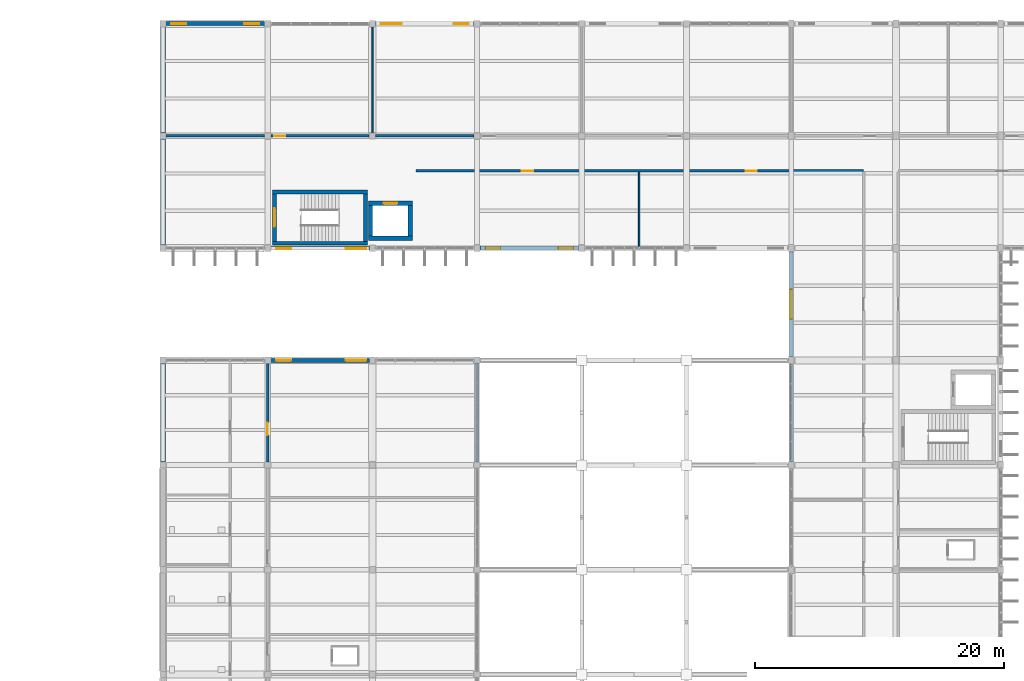
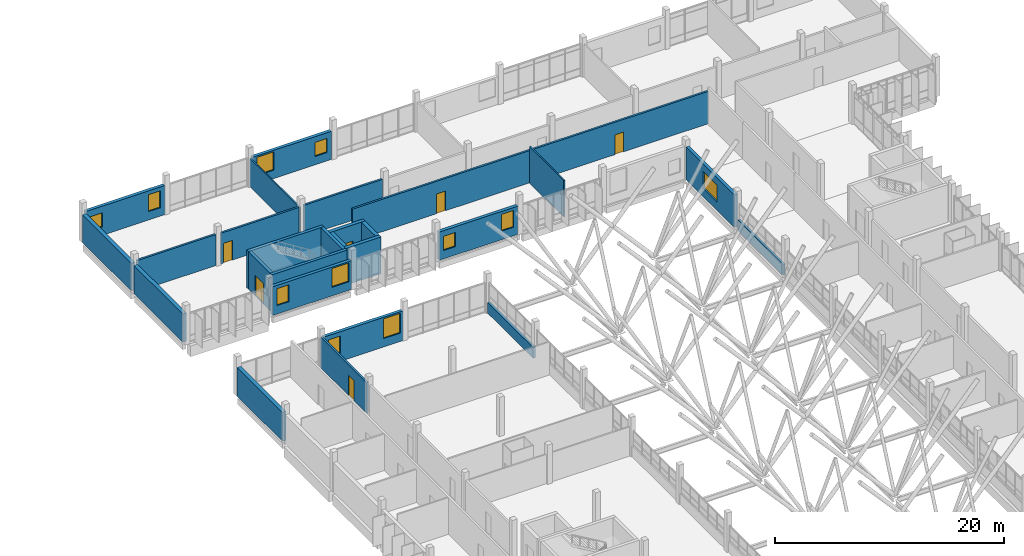
# One storey, part 95 of 107: 26 walls, 11 windows, 6 doors, 17 openings.
"""IFC4 building model written with IfcOpenShell, lengths in metres."""

import ifcopenshell
import ifcopenshell.guid

model = None  # the IFC model being written
_history = None  # IfcOwnerHistory: only IFC2X3 demands one
_inside = {}  # id of a spatial element -> (the spatial element, [elements in it])
_under = {}  # id of a project, library or spatial element -> (it, [spatial elements below it])
_declared = {}  # id of a project -> (the project, [libraries it declares])
_typed = {}  # id of a type object -> (the type object, [elements of that type])
_made_of = {}  # id of a material, layer set ... -> (it, [elements and type objects made of it])


def new_model(schema):
    """Start an empty IFC model of exactly this schema.

    Asked for "IFC4X3", IfcOpenShell would pick the latest addendum, in which some entities
    have other attributes; the version numbers below select the first issue.
    IFC2X3 requires an IfcOwnerHistory on every rooted entity: one is made here for all.
    """
    global model, _history
    if schema == "IFC4X3":
        model = ifcopenshell.file(schema_version=(4, 3, 0, 0))
    else:
        model = ifcopenshell.file(schema=schema)
    _inside.clear()
    _under.clear()
    _declared.clear()
    _typed.clear()
    _made_of.clear()
    _history = None
    if model.schema == "IFC2X3":
        org = make("IfcOrganization", Name="unknown")
        user = make(
            "IfcPersonAndOrganization",
            ThePerson=make("IfcPerson", FamilyName="unknown"),
            TheOrganization=org,
        )
        app = make(
            "IfcApplication",
            ApplicationDeveloper=org,
            Version="unknown",
            ApplicationFullName="unknown",
            ApplicationIdentifier="unknown",
        )
        _history = make(
            "IfcOwnerHistory",
            OwningUser=user,
            OwningApplication=app,
            ChangeAction="ADDED",
            CreationDate=0,
        )
    return model


def make(cls, **values):
    """One entity of the class cls with the attributes given. An attribute that is None is left unset."""
    return model.create_entity(
        cls, **{name: value for name, value in values.items() if value is not None}
    )


def rooted(cls, **values):
    """An entity with a GlobalId (a new one), such as an element, a storey or a relation."""
    return make(cls, GlobalId=ifcopenshell.guid.new(), OwnerHistory=_history, **values)


def si_unit(unit_type, name, prefix=None):
    """IfcSIUnit, for example si_unit("LENGTHUNIT", "METRE", prefix="MILLI")."""
    return make("IfcSIUnit", UnitType=unit_type, Prefix=prefix, Name=name)


def assignment(units):
    """IfcUnitAssignment: the units of a project."""
    return None if units is None else make("IfcUnitAssignment", Units=units)


def point(xyz):
    """IfcCartesianPoint."""
    return None if xyz is None else make("IfcCartesianPoint", Coordinates=xyz)


def direction(xyz):
    """IfcDirection."""
    return None if xyz is None else make("IfcDirection", DirectionRatios=xyz)


def frame(location, z_axis=None, x_axis=None):
    """IfcAxis2Placement3D, a coordinate frame: its origin and axes. An axis left out is left unset."""
    return make(
        "IfcAxis2Placement3D",
        Location=point(location),
        Axis=direction(z_axis),
        RefDirection=direction(x_axis),
    )


def frame_2d(location, x_axis=None):
    """IfcAxis2Placement2D, a coordinate frame in the plane: its origin and x axis."""
    return make(
        "IfcAxis2Placement2D", Location=point(location), RefDirection=direction(x_axis)
    )


def origin():
    """The frame at (0, 0, 0) with its axes left unset."""
    return frame((0.0, 0.0, 0.0))


def place(relative_to, where):
    """IfcLocalPlacement: puts the frame where relative to a parent placement (None: the world)."""
    return make(
        "IfcLocalPlacement", PlacementRelTo=relative_to, RelativePlacement=where
    )


def context(
    kind, dimensions, precision=None, world=None, true_north=None, identifier=None
):
    """IfcGeometricRepresentationContext, for example the 3D "Model" context."""
    return make(
        "IfcGeometricRepresentationContext",
        ContextIdentifier=identifier,
        ContextType=kind,
        CoordinateSpaceDimension=dimensions,
        Precision=precision,
        WorldCoordinateSystem=world,
        TrueNorth=true_north,
    )


def subcontext(parent, identifier, kind, view, scale=None):
    """IfcGeometricRepresentationSubContext, for example "Body" below "Model"."""
    return make(
        "IfcGeometricRepresentationSubContext",
        ContextIdentifier=identifier,
        ContextType=kind,
        ParentContext=parent,
        TargetScale=scale,
        TargetView=view,
    )


def project(units=None, contexts=None):
    """IfcProject with its units and contexts."""
    return rooted(
        "IfcProject",
        Name="project",
        RepresentationContexts=contexts,
        UnitsInContext=assignment(units),
    )


def spatial(cls, under=None, at=None, **own):
    """A site, building, storey or space (cls), placed at a placement, below another one or the project."""
    s = rooted(cls, ObjectPlacement=at, **own)
    if under is not None:
        _under.setdefault(under.id(), (under, []))[1].append(s)
    return s


def profile(cls, at=None, kind="AREA", **sizes):
    """A parametric profile (cls). Its sizes go by their IFC names, for example OverallWidth=200.0."""
    return make(cls, ProfileType=kind, Position=at, **sizes)


def rectangle(**sizes):
    """IfcRectangleProfileDef."""
    return profile("IfcRectangleProfileDef", **sizes)


def extrude(swept, where, along, depth):
    """IfcExtrudedAreaSolid: the profile swept, set in the frame where, extruded along a direction by depth."""
    return make(
        "IfcExtrudedAreaSolid",
        SweptArea=swept,
        Position=where,
        ExtrudedDirection=direction(along),
        Depth=depth,
    )


def shape(context_of_items, identifier, shape_type, items):
    """IfcShapeRepresentation: the items that make up one representation, for example the "Body"."""
    return make(
        "IfcShapeRepresentation",
        ContextOfItems=context_of_items,
        RepresentationIdentifier=identifier,
        RepresentationType=shape_type,
        Items=items,
    )


def material(Name=None, Category=None):
    """IfcMaterial."""
    return make("IfcMaterial", Name=Name, Category=Category)


def layer(
    of_material, thickness, ventilated=None, Name=None, Category=None, Priority=None
):
    """IfcMaterialLayer: one layer of a wall or slab, of a material (None: an air gap)."""
    return make(
        "IfcMaterialLayer",
        Material=of_material,
        LayerThickness=thickness,
        IsVentilated=ventilated,
        Name=Name,
        Category=Category,
        Priority=Priority,
    )


def layer_set(layers, Name=None):
    """IfcMaterialLayerSet."""
    return make("IfcMaterialLayerSet", MaterialLayers=layers, LayerSetName=Name)


def made_of(thing, what):
    """Note that an element or type object is made of a material, layer set ...; save() writes the relation."""
    if what is not None:
        _made_of.setdefault(what.id(), (what, []))[1].append(thing)
    return thing


def type_object(cls, material=None, **own):
    """A type object (cls), such as IfcWallType, which elements share."""
    return made_of(rooted(cls, **own), material)


def element(
    cls,
    number,
    at=None,
    inside=None,
    cuts=None,
    type_object=None,
    material=None,
    context=None,
    identifier="Body",
    shape_type=None,
    held_by="IfcProductDefinitionShape",
    body=None,
    shapes=None,
    **own,
):
    """One element of the class cls, such as IfcWall. Its Tag is "e" and its number.

    at: its placement. inside: the storey or other place that contains it. cuts: it is an
    opening in that element (IfcRelVoidsElement). A single representation is given by context,
    identifier, shape_type and body (its items); several are given by shapes. held_by: the class
    of the entity that holds the representations. save() writes the other relations.
    """
    e = rooted(cls, Tag="e%d" % number, ObjectPlacement=at, **own)
    if body is not None:
        shapes = [shape(context, identifier, shape_type, body)]
    if shapes is not None:
        e.Representation = make(held_by, Representations=shapes)
    if inside is not None:
        _inside.setdefault(inside.id(), (inside, []))[1].append(e)
    if cuts is not None:
        rooted(
            "IfcRelVoidsElement", RelatingBuildingElement=cuts, RelatedOpeningElement=e
        )
    if type_object is not None:
        _typed.setdefault(type_object.id(), (type_object, []))[1].append(e)
    return made_of(e, material)


def fill(opening, filler):
    """IfcRelFillsElement: the door or window that sits in an opening."""
    return rooted(
        "IfcRelFillsElement",
        RelatingOpeningElement=opening,
        RelatedBuildingElement=filler,
    )


def aggregate(whole, parts):
    """IfcRelAggregates: a whole, such as a stair, and the parts it consists of."""
    return rooted("IfcRelAggregates", RelatingObject=whole, RelatedObjects=parts)


def save(model, path):
    """Write the relations noted so far, then the file.

    IfcRelAggregates (storeys below a building ...), IfcRelContainedInSpatialStructure (elements
    in a storey), IfcRelDefinesByType, IfcRelAssociatesMaterial and IfcRelDeclares: one each for
    every whole, place, type object, material and project.
    """
    for whole, parts in _under.values():
        aggregate(whole, parts)
    for where, things in _inside.values():
        rooted(
            "IfcRelContainedInSpatialStructure",
            RelatedElements=things,
            RelatingStructure=where,
        )
    for kind, things in _typed.values():
        rooted("IfcRelDefinesByType", RelatedObjects=things, RelatingType=kind)
    for what, things in _made_of.values():
        rooted("IfcRelAssociatesMaterial", RelatedObjects=things, RelatingMaterial=what)
    for by, libraries in _declared.values():
        rooted("IfcRelDeclares", RelatingContext=by, RelatedDefinitions=libraries)
    model.write(path)


model = new_model("IFC4")

# Units and contexts
model_context = context("Model", 3, precision=1e-05, world=origin(), true_north=direction((0.0, 1.0)))
body_context = subcontext(model_context, "Body", "Model", "MODEL_VIEW")
ifc_project = project(units=[si_unit("LENGTHUNIT", "METRE"), si_unit("AREAUNIT", "SQUARE_METRE"), si_unit("VOLUMEUNIT", "CUBIC_METRE"), si_unit("PLANEANGLEUNIT", "RADIAN"), si_unit("MASSUNIT", "GRAM", prefix="KILO")], contexts=[model_context])

# Site, building, storey
site_placement = place(None, origin())
site = spatial("IfcSite", under=ifc_project, at=site_placement, CompositionType="ELEMENT")
building_placement = place(site_placement, origin())
building = spatial("IfcBuilding", under=site, at=building_placement, Name="Vireocrest Preparatory School", CompositionType="ELEMENT")
storey_placement = place(building_placement, frame((0.0, 0.0, 13.199951171875)))
storey = spatial("IfcBuildingStorey", under=building, at=storey_placement, Name="L03", CompositionType="ELEMENT", Elevation=13.199951171875)

# Wall
ifc_material_1 = material(Name="Gypsum board on cold-formed steel studs", Category="steel")
ifc_layer_1 = layer(ifc_material_1, 0.139892578125)
ifc_layer_set_1 = layer_set([ifc_layer_1], Name="Gypsum board on cold-formed steel studs")
wall_type_1 = type_object("IfcWallType", Name="Classroom Acoustic Partition Wall 140", PredefinedType="PARTITIONING", material=ifc_layer_set_1)
wall_1_placement = place(storey_placement, frame((58.800048828125, 103.905029296875, 0.0), z_axis=(0.0, 0.0, 1.0), x_axis=(0.0, 1.0, 0.0)))
element("IfcWall", 1, at=wall_1_placement, inside=storey, type_object=wall_type_1, Name="Interior Partition W03 IW_L03_0258", PredefinedType="PARTITIONING", context=body_context, shape_type="SweptSolid", body=[
    extrude(rectangle(XDim=8.7900390625, YDim=0.139892578125, at=frame_2d((4.39501953125, 0.0))), origin(), (0.0, 0.0, 1.0), 3.010009765625),
])

# Wall, opening, door
ifc_layer_2 = layer(ifc_material_1, 0.199951171875)
ifc_layer_set_2 = layer_set([ifc_layer_2], Name="Gypsum board on cold-formed steel studs")
wall_type_2 = type_object("IfcWallType", Name="Corridor One-Hour Fire Partition 200", PredefinedType="PARTITIONING", material=ifc_layer_set_2)
wall_2_placement = place(storey_placement, frame((50.39990234375, 77.659912109375, 0.0), z_axis=(0.0, 0.0, 1.0), x_axis=(0.0, 1.0, 0.0)))
wall_2 = element("IfcWall", 2, at=wall_2_placement, inside=storey, type_object=wall_type_2, Name="Interior Partition W06 IW_L03_0256", PredefinedType="PARTITIONING", context=body_context, shape_type="SweptSolid", body=[
    extrude(rectangle(XDim=8.03515625, YDim=0.199951171875, at=frame_2d((4.017578125, 0.0))), origin(), (0.0, 0.0, 1.0), 3.260009765625),
])
opening_1_placement = place(wall_2_placement, frame((2.139892578125, 0.0, 0.0)))
opening_1 = element("IfcOpeningElement", 3, at=opening_1_placement, cuts=wall_2, Name="Opening D-L03-W3EN04", PredefinedType="OPENING", context=body_context, shape_type="SweptSolid", body=[
    extrude(rectangle(XDim=1.0, YDim=2.14990234375, at=frame_2d((0.5, 1.074951171875))), frame((0.0, 0.10986328125, 0.0), z_axis=(0.0, -1.0, 0.0), x_axis=(1.0, 0.0, 0.0)), (0.0, 0.0, 1.0), 0.219970703125),
])
ifc_material_2 = material(Name="Solid-core architectural birch timber", Category="wood")
door_type_1 = type_object("IfcDoorType", Name="Classroom Acoustic Timber Door 1000x2150", OperationType="NOTDEFINED", PredefinedType="DOOR", material=ifc_material_2)
door_1_placement = place(opening_1_placement, origin())
door_1 = element("IfcDoor", 4, at=door_1_placement, inside=storey, type_object=door_type_1, Name="Interior Door D-L03-W3EN04", OperationType="SINGLE_SWING_RIGHT", OverallHeight=2.14990234375, OverallWidth=1.0, PredefinedType="DOOR", context=body_context, shape_type="SweptSolid", body=[
    extrude(rectangle(XDim=1.0, YDim=2.14990234375, at=frame_2d((0.5, 1.074951171875))), frame((0.0, 0.02490234375, 0.0), z_axis=(0.0, -1.0, 0.0), x_axis=(1.0, 0.0, 0.0)), (0.0, 0.0, 1.0), 0.050048828125),
])
fill(opening_1, door_1)

# Wall
wall_3_placement = place(storey_placement, frame((42.195068359375, 103.800048828125, 0.0), z_axis=(0.0, 0.0, 1.0), x_axis=(1.0, 0.0, 0.0)))
element("IfcWall", 5, at=wall_3_placement, inside=storey, type_object=wall_type_2, Name="Interior Partition W06 IW_L03_0262", PredefinedType="PARTITIONING", context=body_context, shape_type="SweptSolid", body=[
    extrude(rectangle(XDim=7.94482421875, YDim=0.199951171875, at=frame_2d((3.972412109375, 0.0))), origin(), (0.0, 0.0, 1.0), 3.31005859375),
])

# Wall, opening, door
wall_4_placement = place(storey_placement, frame((50.659912109375, 103.800048828125, 0.0), z_axis=(0.0, 0.0, 1.0), x_axis=(1.0, 0.0, 0.0)))
wall_4 = element("IfcWall", 6, at=wall_4_placement, inside=storey, type_object=wall_type_2, Name="Interior Partition W06 IW_L03_0263", PredefinedType="PARTITIONING", context=body_context, shape_type="SweptSolid", body=[
    extrude(rectangle(XDim=7.880126953125, YDim=0.199951171875, at=frame_2d((3.93994140625, 0.0))), origin(), (0.0, 0.0, 1.0), 3.260009765625),
])
opening_2_placement = place(wall_4_placement, frame((0.25, 0.0, 0.0)))
opening_2 = element("IfcOpeningElement", 7, at=opening_2_placement, cuts=wall_4, Name="Opening D-L03-N3N01", PredefinedType="OPENING", context=body_context, shape_type="SweptSolid", body=[
    extrude(rectangle(XDim=0.89990234375, YDim=2.10009765625, at=frame_2d((0.449951171875, 1.050048828125))), frame((0.0, 0.10986328125, 0.0), z_axis=(0.0, -1.0, 0.0), x_axis=(1.0, 0.0, 0.0)), (0.0, 0.0, 1.0), 0.219970703125),
])
door_type_2 = type_object("IfcDoorType", Name="Office Timber Door 900x2100", OperationType="NOTDEFINED", PredefinedType="DOOR", material=ifc_material_2)
door_2_placement = place(opening_2_placement, origin())
door_2 = element("IfcDoor", 8, at=door_2_placement, inside=storey, type_object=door_type_2, Name="Interior Door D-L03-N3N01", OperationType="SINGLE_SWING_RIGHT", OverallHeight=2.10009765625, OverallWidth=0.89990234375, PredefinedType="DOOR", context=body_context, shape_type="SweptSolid", body=[
    extrude(rectangle(XDim=0.89990234375, YDim=2.10009765625, at=frame_2d((0.449951171875, 1.050048828125))), frame((0.0, 0.02490234375, 0.0), z_axis=(0.0, -1.0, 0.0), x_axis=(1.0, 0.0, 0.0)), (0.0, 0.0, 1.0), 0.050048828125),
])
fill(opening_2, door_2)

# Wall
wall_5_placement = place(storey_placement, frame((59.06005859375, 103.800048828125, 0.0), z_axis=(0.0, 0.0, 1.0), x_axis=(1.0, 0.0, 0.0)))
element("IfcWall", 9, at=wall_5_placement, inside=storey, type_object=wall_type_2, Name="Interior Partition W06 IW_L03_0264", PredefinedType="PARTITIONING", context=body_context, shape_type="SweptSolid", body=[
    extrude(rectangle(XDim=7.8798828125, YDim=0.199951171875, at=frame_2d((3.93994140625, 0.0))), origin(), (0.0, 0.0, 1.0), 3.31005859375),
])

# Wall, openings, doors
wall_6_placement = place(storey_placement, frame((62.31005859375, 101.0, 0.0), z_axis=(0.0, 0.0, 1.0), x_axis=(1.0, 0.0, 0.0)))
wall_6 = element("IfcWall", 10, at=wall_6_placement, inside=storey, type_object=wall_type_2, Name="Interior Partition W06 IW_L03_0272", PredefinedType="PARTITIONING", context=body_context, shape_type="SweptSolid", body=[
    extrude(rectangle(XDim=35.8798828125, YDim=0.199951171875, at=frame_2d((17.93994140625, 0.0))), origin(), (0.0, 0.0, 1.0), 3.450927734375),
])
opening_3_placement = place(wall_6_placement, frame((8.489990234375, 0.0, 0.0)))
opening_3 = element("IfcOpeningElement", 11, at=opening_3_placement, cuts=wall_6, Name="Opening D-L03-N3SW01", PredefinedType="OPENING", context=body_context, shape_type="SweptSolid", body=[
    extrude(rectangle(XDim=0.89990234375, YDim=2.10009765625, at=frame_2d((0.449951171875, 1.050048828125))), frame((0.0, 0.10986328125, 0.0), z_axis=(0.0, -1.0, 0.0), x_axis=(1.0, 0.0, 0.0)), (0.0, 0.0, 1.0), 0.219970703125),
])
opening_4_placement = place(wall_6_placement, frame((26.43994140625, 0.0, 0.0)))
opening_4 = element("IfcOpeningElement", 12, at=opening_4_placement, cuts=wall_6, Name="Opening D-L03-N3SW02", PredefinedType="OPENING", context=body_context, shape_type="SweptSolid", body=[
    extrude(rectangle(XDim=0.89990234375, YDim=2.10009765625, at=frame_2d((0.449951171875, 1.050048828125))), frame((0.0, 0.10986328125, 0.0), z_axis=(0.0, -1.0, 0.0), x_axis=(1.0, 0.0, 0.0)), (0.0, 0.0, 1.0), 0.219970703125),
])
door_3_placement = place(opening_3_placement, origin())
door_3 = element("IfcDoor", 13, at=door_3_placement, inside=storey, type_object=door_type_2, Name="Interior Door D-L03-N3SW01", OperationType="SINGLE_SWING_LEFT", OverallHeight=2.10009765625, OverallWidth=0.89990234375, PredefinedType="DOOR", context=body_context, shape_type="SweptSolid", body=[
    extrude(rectangle(XDim=0.89990234375, YDim=2.10009765625, at=frame_2d((0.449951171875, 1.050048828125))), frame((0.0, 0.02490234375, 0.0), z_axis=(0.0, -1.0, 0.0), x_axis=(1.0, 0.0, 0.0)), (0.0, 0.0, 1.0), 0.050048828125),
])
fill(opening_3, door_3)
door_4_placement = place(opening_4_placement, origin())
door_4 = element("IfcDoor", 14, at=door_4_placement, inside=storey, type_object=door_type_2, Name="Interior Door D-L03-N3SW02", OperationType="SINGLE_SWING_RIGHT", OverallHeight=2.10009765625, OverallWidth=0.89990234375, PredefinedType="DOOR", context=body_context, shape_type="SweptSolid", body=[
    extrude(rectangle(XDim=0.89990234375, YDim=2.10009765625, at=frame_2d((0.449951171875, 1.050048828125))), frame((0.0, 0.02490234375, 0.0), z_axis=(0.0, -1.0, 0.0), x_axis=(1.0, 0.0, 0.0)), (0.0, 0.0, 1.0), 0.050048828125),
])
fill(opening_4, door_4)

# Wall, openings, windows
ifc_material_3 = material(Name="Precast white concrete 40 MPa", Category="concrete")
ifc_layer_3 = layer(ifc_material_3, 0.320068359375)
ifc_layer_set_3 = layer_set([ifc_layer_3], Name="Precast white concrete 40 MPa")
wall_type_3 = type_object("IfcWallType", Name="High-Tech Insulated Rainscreen External Wall 320", PredefinedType="SOLIDWALL", material=ifc_layer_set_3)
wall_7_placement = place(storey_placement, frame((50.625, 85.800048828125, 0.0), z_axis=(0.0, 0.0, 1.0), x_axis=(1.0, 0.0, 0.0)))
wall_7 = element("IfcWall", 15, at=wall_7_placement, inside=storey, type_object=wall_type_3, Name="External Wall W12 EW_L03_0317", PredefinedType="SOLIDWALL", context=body_context, shape_type="SweptSolid", body=[
    extrude(rectangle(XDim=7.949951171875, YDim=0.320068359375, at=frame_2d((3.97509765625, 0.0))), origin(), (0.0, 0.0, 1.0), 3.16015625),
])
opening_5_placement = place(wall_7_placement, frame((0.449951171875, 0.0, 0.89990234375)))
opening_5 = element("IfcOpeningElement", 16, at=opening_5_placement, cuts=wall_7, Name="Opening WN02", PredefinedType="OPENING", context=body_context, shape_type="SweptSolid", body=[
    extrude(rectangle(XDim=1.199951171875, YDim=1.800048828125, at=frame_2d((0.60009765625, 0.89990234375))), frame((0.0, 0.169921875, 0.0), z_axis=(0.0, -1.0, 0.0), x_axis=(1.0, 0.0, 0.0)), (0.0, 0.0, 1.0), 0.340087890625),
])
opening_6_placement = place(wall_7_placement, frame((6.02001953125, 0.0, 0.89990234375)))
opening_6 = element("IfcOpeningElement", 17, at=opening_6_placement, cuts=wall_7, Name="Opening WN07", PredefinedType="OPENING", context=body_context, shape_type="SweptSolid", body=[
    extrude(rectangle(XDim=1.679931640625, YDim=2.110107421875, at=frame_2d((0.83984375, 1.05517578125))), frame((0.0, 0.169921875, 0.0), z_axis=(0.0, -1.0, 0.0), x_axis=(1.0, 0.0, 0.0)), (0.0, 0.0, 1.0), 0.340087890625),
])
ifc_material_4 = material(Name="Thermally broken aluminium EN AW-6063-T6", Category="aluminium")
window_type_1 = type_object("IfcWindowType", Name="Counseling Window 1200x1800", PartitioningType="SINGLE_PANEL", PredefinedType="WINDOW", material=ifc_material_4)
window_1_placement = place(opening_5_placement, origin())
window_1 = element("IfcWindow", 18, at=window_1_placement, inside=storey, type_object=window_type_1, Name="Window W-L03-154 (WN02)", OverallHeight=1.800048828125, OverallWidth=1.199951171875, PartitioningType="SINGLE_PANEL", PredefinedType="WINDOW", context=body_context, shape_type="SweptSolid", body=[
    extrude(rectangle(XDim=1.199951171875, YDim=1.800048828125, at=frame_2d((0.60009765625, 0.89990234375))), frame((0.0, 0.030029296875, 0.0), z_axis=(0.0, -1.0, 0.0), x_axis=(1.0, 0.0, 0.0)), (0.0, 0.0, 1.0), 0.06005859375),
])
fill(opening_5, window_1)
window_type_2 = type_object("IfcWindowType", Name="Module Lab Window 1680x2400", PartitioningType="SINGLE_PANEL", PredefinedType="WINDOW", material=ifc_material_4)
window_2_placement = place(opening_6_placement, origin())
window_2 = element("IfcWindow", 19, at=window_2_placement, inside=storey, type_object=window_type_2, Name="Window W-L03-155 (WN07)", OverallHeight=2.110107421875, OverallWidth=1.679931640625, PartitioningType="SINGLE_PANEL", PredefinedType="WINDOW", context=body_context, shape_type="SweptSolid", body=[
    extrude(rectangle(XDim=1.679931640625, YDim=2.110107421875, at=frame_2d((0.83984375, 1.05517578125))), frame((0.0, 0.030029296875, 0.0), z_axis=(0.0, -1.0, 0.0), x_axis=(1.0, 0.0, 0.0)), (0.0, 0.0, 1.0), 0.06005859375),
])
fill(opening_6, window_2)

wall_8_placement = place(storey_placement, frame((42.22509765625, 112.800048828125, 0.0), z_axis=(0.0, 0.0, 1.0), x_axis=(1.0, 0.0, 0.0)))
wall_8 = element("IfcWall", 20, at=wall_8_placement, inside=storey, type_object=wall_type_3, Name="External Wall W12 EW_L03_0323", PredefinedType="SOLIDWALL", context=body_context, shape_type="SweptSolid", body=[
    extrude(rectangle(XDim=7.949951171875, YDim=0.320068359375, at=frame_2d((3.97509765625, 0.0))), origin(), (0.0, 0.0, 1.0), 3.110107421875),
])
opening_7_placement = place(wall_8_placement, frame((0.449951171875, 0.0, 0.89990234375)))
opening_7 = element("IfcOpeningElement", 21, at=opening_7_placement, cuts=wall_8, Name="Opening WN01", PredefinedType="OPENING", context=body_context, shape_type="SweptSolid", body=[
    extrude(rectangle(XDim=1.199951171875, YDim=1.5, at=frame_2d((0.60009765625, 0.75))), frame((0.0, 0.169921875, 0.0), z_axis=(0.0, -1.0, 0.0), x_axis=(1.0, 0.0, 0.0)), (0.0, 0.0, 1.0), 0.340087890625),
])
opening_8_placement = place(wall_8_placement, frame((6.300048828125, 0.0, 0.89990234375)))
opening_8 = element("IfcOpeningElement", 22, at=opening_8_placement, cuts=wall_8, Name="Opening WN02", PredefinedType="OPENING", context=body_context, shape_type="SweptSolid", body=[
    extrude(rectangle(XDim=1.199951171875, YDim=1.800048828125, at=frame_2d((0.60009765625, 0.89990234375))), frame((0.0, 0.169921875, 0.0), z_axis=(0.0, -1.0, 0.0), x_axis=(1.0, 0.0, 0.0)), (0.0, 0.0, 1.0), 0.340087890625),
])
window_3_placement = place(opening_8_placement, origin())
window_3 = element("IfcWindow", 23, at=window_3_placement, inside=storey, type_object=window_type_1, Name="Window W-L03-157 (WN02)", OverallHeight=1.800048828125, OverallWidth=1.199951171875, PartitioningType="SINGLE_PANEL", PredefinedType="WINDOW", context=body_context, shape_type="SweptSolid", body=[
    extrude(rectangle(XDim=1.199951171875, YDim=1.800048828125, at=frame_2d((0.60009765625, 0.89990234375))), frame((0.0, 0.030029296875, 0.0), z_axis=(0.0, -1.0, 0.0), x_axis=(1.0, 0.0, 0.0)), (0.0, 0.0, 1.0), 0.06005859375),
])
fill(opening_8, window_3)
window_type_3 = type_object("IfcWindowType", Name="Office Punched Window 1200x1500", PartitioningType="SINGLE_PANEL", PredefinedType="WINDOW", material=ifc_material_4)
window_4_placement = place(opening_7_placement, origin())
window_4 = element("IfcWindow", 24, at=window_4_placement, inside=storey, type_object=window_type_3, Name="Window W-L03-156 (WN01)", OverallHeight=1.5, OverallWidth=1.199951171875, PartitioningType="SINGLE_PANEL", PredefinedType="WINDOW", context=body_context, shape_type="SweptSolid", body=[
    extrude(rectangle(XDim=1.199951171875, YDim=1.5, at=frame_2d((0.60009765625, 0.75))), frame((0.0, 0.030029296875, 0.0), z_axis=(0.0, -1.0, 0.0), x_axis=(1.0, 0.0, 0.0)), (0.0, 0.0, 1.0), 0.06005859375),
])
fill(opening_7, window_4)

wall_9_placement = place(storey_placement, frame((59.02490234375, 112.800048828125, 0.0), z_axis=(0.0, 0.0, 1.0), x_axis=(1.0, 0.0, 0.0)))
wall_9 = element("IfcWall", 25, at=wall_9_placement, inside=storey, type_object=wall_type_3, Name="External Wall W12 EW_L03_0325", PredefinedType="SOLIDWALL", context=body_context, shape_type="SweptSolid", body=[
    extrude(rectangle(XDim=7.9501953125, YDim=0.320068359375, at=frame_2d((3.97509765625, 0.0))), origin(), (0.0, 0.0, 1.0), 3.010009765625),
])
opening_9_placement = place(wall_9_placement, frame((0.449951171875, 0.0, 0.89990234375)))
opening_9 = element("IfcOpeningElement", 26, at=opening_9_placement, cuts=wall_9, Name="Opening WN07", PredefinedType="OPENING", context=body_context, shape_type="SweptSolid", body=[
    extrude(rectangle(XDim=1.679931640625, YDim=1.9599609375, at=frame_2d((0.83984375, 0.97998046875))), frame((0.0, 0.169921875, 0.0), z_axis=(0.0, -1.0, 0.0), x_axis=(1.0, 0.0, 0.0)), (0.0, 0.0, 1.0), 0.340087890625),
])
opening_10_placement = place(wall_9_placement, frame((6.300048828125, 0.0, 0.89990234375)))
opening_10 = element("IfcOpeningElement", 27, at=opening_10_placement, cuts=wall_9, Name="Opening WN01", PredefinedType="OPENING", context=body_context, shape_type="SweptSolid", body=[
    extrude(rectangle(XDim=1.199951171875, YDim=1.5, at=frame_2d((0.60009765625, 0.75))), frame((0.0, 0.169921875, 0.0), z_axis=(0.0, -1.0, 0.0), x_axis=(1.0, 0.0, 0.0)), (0.0, 0.0, 1.0), 0.340087890625),
])
window_5_placement = place(opening_9_placement, origin())
window_5 = element("IfcWindow", 28, at=window_5_placement, inside=storey, type_object=window_type_2, Name="Window W-L03-158 (WN07)", OverallHeight=1.9599609375, OverallWidth=1.679931640625, PartitioningType="SINGLE_PANEL", PredefinedType="WINDOW", context=body_context, shape_type="SweptSolid", body=[
    extrude(rectangle(XDim=1.679931640625, YDim=1.9599609375, at=frame_2d((0.83984375, 0.97998046875))), frame((0.0, 0.030029296875, 0.0), z_axis=(0.0, -1.0, 0.0), x_axis=(1.0, 0.0, 0.0)), (0.0, 0.0, 1.0), 0.06005859375),
])
fill(opening_9, window_5)
window_6_placement = place(opening_10_placement, origin())
window_6 = element("IfcWindow", 29, at=window_6_placement, inside=storey, type_object=window_type_3, Name="Window W-L03-159 (WN01)", OverallHeight=1.5, OverallWidth=1.199951171875, PartitioningType="SINGLE_PANEL", PredefinedType="WINDOW", context=body_context, shape_type="SweptSolid", body=[
    extrude(rectangle(XDim=1.199951171875, YDim=1.5, at=frame_2d((0.60009765625, 0.75))), frame((0.0, 0.030029296875, 0.0), z_axis=(0.0, -1.0, 0.0), x_axis=(1.0, 0.0, 0.0)), (0.0, 0.0, 1.0), 0.06005859375),
])
fill(opening_10, window_6)

wall_10_placement = place(storey_placement, frame((50.625, 94.800048828125, 0.0), z_axis=(0.0, 0.0, 1.0), x_axis=(1.0, 0.0, 0.0)))
wall_10 = element("IfcWall", 30, at=wall_10_placement, inside=storey, type_object=wall_type_3, Name="External Wall W12 EW_L03_0335", PredefinedType="SOLIDWALL", context=body_context, shape_type="SweptSolid", body=[
    extrude(rectangle(XDim=7.949951171875, YDim=0.320068359375, at=frame_2d((3.97509765625, 0.0))), origin(), (0.0, 0.0, 1.0), 3.06005859375),
])
opening_11_placement = place(wall_10_placement, frame((0.449951171875, 0.0, 0.89990234375)))
opening_11 = element("IfcOpeningElement", 31, at=opening_11_placement, cuts=wall_10, Name="Opening WN02", PredefinedType="OPENING", context=body_context, shape_type="SweptSolid", body=[
    extrude(rectangle(XDim=1.199951171875, YDim=1.800048828125, at=frame_2d((0.60009765625, 0.89990234375))), frame((0.0, 0.169921875, 0.0), z_axis=(0.0, -1.0, 0.0), x_axis=(1.0, 0.0, 0.0)), (0.0, 0.0, 1.0), 0.340087890625),
])
opening_12_placement = place(wall_10_placement, frame((6.02001953125, 0.0, 0.89990234375)))
opening_12 = element("IfcOpeningElement", 32, at=opening_12_placement, cuts=wall_10, Name="Opening WN07", PredefinedType="OPENING", context=body_context, shape_type="SweptSolid", body=[
    extrude(rectangle(XDim=1.679931640625, YDim=2.010009765625, at=frame_2d((0.83984375, 1.0048828125))), frame((0.0, 0.169921875, 0.0), z_axis=(0.0, -1.0, 0.0), x_axis=(1.0, 0.0, 0.0)), (0.0, 0.0, 1.0), 0.340087890625),
])
window_7_placement = place(opening_11_placement, origin())
window_7 = element("IfcWindow", 33, at=window_7_placement, inside=storey, type_object=window_type_1, Name="Window W-L03-166 (WN02)", OverallHeight=1.800048828125, OverallWidth=1.199951171875, PartitioningType="SINGLE_PANEL", PredefinedType="WINDOW", context=body_context, shape_type="SweptSolid", body=[
    extrude(rectangle(XDim=1.199951171875, YDim=1.800048828125, at=frame_2d((0.60009765625, 0.89990234375))), frame((0.0, 0.030029296875, 0.0), z_axis=(0.0, -1.0, 0.0), x_axis=(1.0, 0.0, 0.0)), (0.0, 0.0, 1.0), 0.06005859375),
])
fill(opening_11, window_7)
window_8_placement = place(opening_12_placement, origin())
window_8 = element("IfcWindow", 34, at=window_8_placement, inside=storey, type_object=window_type_2, Name="Window W-L03-167 (WN07)", OverallHeight=2.010009765625, OverallWidth=1.679931640625, PartitioningType="SINGLE_PANEL", PredefinedType="WINDOW", context=body_context, shape_type="SweptSolid", body=[
    extrude(rectangle(XDim=1.679931640625, YDim=2.010009765625, at=frame_2d((0.83984375, 1.0048828125))), frame((0.0, 0.030029296875, 0.0), z_axis=(0.0, -1.0, 0.0), x_axis=(1.0, 0.0, 0.0)), (0.0, 0.0, 1.0), 0.06005859375),
])
fill(opening_12, window_8)

wall_11_placement = place(storey_placement, frame((67.425048828125, 94.800048828125, 0.0), z_axis=(0.0, 0.0, 1.0), x_axis=(1.0, 0.0, 0.0)))
wall_11 = element("IfcWall", 35, at=wall_11_placement, inside=storey, type_object=wall_type_3, Name="External Wall W12 EW_L03_0337", PredefinedType="SOLIDWALL", context=body_context, shape_type="SweptSolid", body=[
    extrude(rectangle(XDim=7.949951171875, YDim=0.320068359375, at=frame_2d((3.97509765625, 0.0))), origin(), (0.0, 0.0, 1.0), 3.010009765625),
])
opening_13_placement = place(wall_11_placement, frame((0.449951171875, 0.0, 0.89990234375)))
opening_13 = element("IfcOpeningElement", 36, at=opening_13_placement, cuts=wall_11, Name="Opening WN01", PredefinedType="OPENING", context=body_context, shape_type="SweptSolid", body=[
    extrude(rectangle(XDim=1.199951171875, YDim=1.5, at=frame_2d((0.60009765625, 0.75))), frame((0.0, 0.169921875, 0.0), z_axis=(0.0, -1.0, 0.0), x_axis=(1.0, 0.0, 0.0)), (0.0, 0.0, 1.0), 0.340087890625),
])
opening_14_placement = place(wall_11_placement, frame((6.300048828125, 0.0, 0.89990234375)))
opening_14 = element("IfcOpeningElement", 37, at=opening_14_placement, cuts=wall_11, Name="Opening WN02", PredefinedType="OPENING", context=body_context, shape_type="SweptSolid", body=[
    extrude(rectangle(XDim=1.199951171875, YDim=1.800048828125, at=frame_2d((0.60009765625, 0.89990234375))), frame((0.0, 0.169921875, 0.0), z_axis=(0.0, -1.0, 0.0), x_axis=(1.0, 0.0, 0.0)), (0.0, 0.0, 1.0), 0.340087890625),
])
window_9_placement = place(opening_14_placement, origin())
window_9 = element("IfcWindow", 38, at=window_9_placement, inside=storey, type_object=window_type_1, Name="Window W-L03-169 (WN02)", OverallHeight=1.800048828125, OverallWidth=1.199951171875, PartitioningType="SINGLE_PANEL", PredefinedType="WINDOW", context=body_context, shape_type="SweptSolid", body=[
    extrude(rectangle(XDim=1.199951171875, YDim=1.800048828125, at=frame_2d((0.60009765625, 0.89990234375))), frame((0.0, 0.030029296875, 0.0), z_axis=(0.0, -1.0, 0.0), x_axis=(1.0, 0.0, 0.0)), (0.0, 0.0, 1.0), 0.06005859375),
])
fill(opening_14, window_9)
window_10_placement = place(opening_13_placement, origin())
window_10 = element("IfcWindow", 39, at=window_10_placement, inside=storey, type_object=window_type_3, Name="Window W-L03-168 (WN01)", OverallHeight=1.5, OverallWidth=1.199951171875, PartitioningType="SINGLE_PANEL", PredefinedType="WINDOW", context=body_context, shape_type="SweptSolid", body=[
    extrude(rectangle(XDim=1.199951171875, YDim=1.5, at=frame_2d((0.60009765625, 0.75))), frame((0.0, 0.030029296875, 0.0), z_axis=(0.0, -1.0, 0.0), x_axis=(1.0, 0.0, 0.0)), (0.0, 0.0, 1.0), 0.06005859375),
])
fill(opening_13, window_10)

# Wall, opening, window
wall_12_placement = place(storey_placement, frame((92.39990234375, 86.074951171875, 0.0), z_axis=(0.0, 0.0, 1.0), x_axis=(0.0, 1.0, 0.0)))
wall_12 = element("IfcWall", 40, at=wall_12_placement, inside=storey, type_object=wall_type_3, Name="External Wall W12 EW_L03_0340", PredefinedType="SOLIDWALL", context=body_context, shape_type="SweptSolid", body=[
    extrude(rectangle(XDim=8.449951171875, YDim=0.320068359375, at=frame_2d((4.22509765625, 0.0))), origin(), (0.0, 0.0, 1.0), 3.47998046875),
])
opening_15_placement = place(wall_12_placement, frame((3.02490234375, 0.0, 0.89990234375)))
opening_15 = element("IfcOpeningElement", 41, at=opening_15_placement, cuts=wall_12, Name="Opening WN12", PredefinedType="OPENING", context=body_context, shape_type="SweptSolid", body=[
    extrude(rectangle(XDim=2.39990234375, YDim=1.800048828125, at=frame_2d((1.199951171875, 0.89990234375))), frame((0.0, 0.169921875, 0.0), z_axis=(0.0, -1.0, 0.0), x_axis=(1.0, 0.0, 0.0)), (0.0, 0.0, 1.0), 0.340087890625),
])
window_type_4 = type_object("IfcWindowType", Name="Classroom Paired Window 2400x1800", PartitioningType="DOUBLE_PANEL_VERTICAL", PredefinedType="WINDOW", material=ifc_material_4)
window_11_placement = place(opening_15_placement, origin())
window_11 = element("IfcWindow", 42, at=window_11_placement, inside=storey, type_object=window_type_4, Name="Window W-L03-172 (WN12)", OverallHeight=1.800048828125, OverallWidth=2.39990234375, PartitioningType="SINGLE_PANEL", PredefinedType="WINDOW", context=body_context, shape_type="SweptSolid", body=[
    extrude(rectangle(XDim=2.39990234375, YDim=1.800048828125, at=frame_2d((1.199951171875, 0.89990234375))), frame((0.0, 0.030029296875, 0.0), z_axis=(0.0, -1.0, 0.0), x_axis=(1.0, 0.0, 0.0)), (0.0, 0.0, 1.0), 0.06005859375),
])
fill(opening_15, window_11)

# Walls
ifc_layer_4 = layer(ifc_material_1, 0.1201171875)
ifc_layer_set_4 = layer_set([ifc_layer_4], Name="Gypsum board on cold-formed steel studs")
wall_type_4 = type_object("IfcWallType", Name="Office Stud Partition Wall 120", PredefinedType="PARTITIONING", material=ifc_layer_set_4)
wall_13_placement = place(storey_placement, frame((80.199951171875, 94.905029296875, 0.0), z_axis=(0.0, 0.0, 1.0), x_axis=(0.0, 1.0, 0.0)))
element("IfcWall", 43, at=wall_13_placement, inside=storey, type_object=wall_type_4, Name="Interior Partition W02 IW_L03_0271", PredefinedType="PARTITIONING", context=body_context, shape_type="SweptSolid", body=[
    extrude(rectangle(XDim=5.989990234375, YDim=0.1201171875, at=frame_2d((2.9951171875, 0.0))), origin(), (0.0, 0.0, 1.0), 3.900146484375),
])
ifc_material_5 = material(Name="Concrete 45 MPa", Category="concrete")
ifc_layer_5 = layer(ifc_material_5, 0.35009765625)
ifc_layer_set_5 = layer_set([ifc_layer_5], Name="Concrete 45 MPa")
wall_type_5 = type_object("IfcWallType", Name="Two-Hour RC Lift Core Shear Wall 350", PredefinedType="SHEAR", material=ifc_layer_set_5)
wall_14_placement = place(storey_placement, frame((58.47509765625, 95.60009765625, 0.0), z_axis=(0.0, 0.0, 1.0), x_axis=(1.0, 0.0, 0.0)))
element("IfcWall", 44, at=wall_14_placement, inside=storey, type_object=wall_type_5, Name="Lift Core Shear Wall LF3 L03-S", PredefinedType="SHEAR", context=body_context, shape_type="SweptSolid", body=[
    extrude(rectangle(XDim=3.5498046875, YDim=0.35009765625, at=frame_2d((1.77490234375, 0.0))), origin(), (0.0, 0.0, 1.0), 3.920166015625),
])

# Wall, opening, door
wall_15_placement = place(storey_placement, frame((58.47509765625, 98.39990234375, 0.0), z_axis=(0.0, 0.0, 1.0), x_axis=(1.0, 0.0, 0.0)))
wall_15 = element("IfcWall", 45, at=wall_15_placement, inside=storey, type_object=wall_type_5, Name="Lift Core Shear Wall LF3 L03-N", PredefinedType="SHEAR", context=body_context, shape_type="SweptSolid", body=[
    extrude(rectangle(XDim=3.5498046875, YDim=0.35009765625, at=frame_2d((1.77490234375, 0.0))), origin(), (0.0, 0.0, 1.0), 3.920166015625),
])
opening_16_placement = place(wall_15_placement, frame((1.22509765625, 0.0, 0.0)))
opening_16 = element("IfcOpeningElement", 46, at=opening_16_placement, cuts=wall_15, Name="Opening LD-LF3-L03", PredefinedType="OPENING", context=body_context, shape_type="SweptSolid", body=[
    extrude(rectangle(XDim=1.10009765625, YDim=2.199951171875, at=frame_2d((0.550048828125, 1.10009765625))), frame((0.0, 0.18505859375, 0.0), z_axis=(0.0, -1.0, 0.0), x_axis=(1.0, 0.0, 0.0)), (0.0, 0.0, 1.0), 0.3701171875),
])
ifc_material_6 = material(Name="Painted galvanized hollow steel", Category="steel")
door_type_3 = type_object("IfcDoorType", Name="Lift Landing Sliding Door 1100x2200", OperationType="DOUBLE_DOOR_SLIDING", PredefinedType="DOOR", material=ifc_material_6)
door_5_placement = place(opening_16_placement, origin())
door_5 = element("IfcDoor", 47, at=door_5_placement, inside=storey, type_object=door_type_3, Name="Lift Landing Door LD-LF3-L03", OperationType="DOUBLE_DOOR_SLIDING", OverallHeight=2.199951171875, OverallWidth=1.10009765625, PredefinedType="DOOR", context=body_context, shape_type="SweptSolid", body=[
    extrude(rectangle(XDim=1.10009765625, YDim=2.199951171875, at=frame_2d((0.550048828125, 1.10009765625))), frame((0.0, 0.02490234375, 0.0), z_axis=(0.0, -1.0, 0.0), x_axis=(1.0, 0.0, 0.0)), (0.0, 0.0, 1.0), 0.050048828125),
])
fill(opening_16, door_5)

# Walls
for number, where, z_axis, x_axis, name in (
    (48, (58.64990234375, 95.77490234375, 0.0), (0.0, 0.0, 1.0), (0.0, 1.0, 0.0), "Lift Core Shear Wall LF3 L03-W"),
    (49, (61.85009765625, 95.77490234375, 0.0), (0.0, 0.0, 1.0), (0.0, 1.0, 0.0), "Lift Core Shear Wall LF3 L03-E"),
):
    element("IfcWall", number, at=place(storey_placement, frame(where, z_axis=z_axis, x_axis=x_axis)), inside=storey, type_object=wall_type_5, Name=name, PredefinedType="SHEAR", context=body_context, shape_type="SweptSolid", body=[
        extrude(rectangle(XDim=2.4501953125, YDim=0.35009765625, at=frame_2d((1.22509765625, 0.0))), origin(), (0.0, 0.0, 1.0), 3.920166015625),
    ])
ifc_layer_6 = layer(ifc_material_5, 0.3798828125)
ifc_layer_set_6 = layer_set([ifc_layer_6], Name="Concrete 45 MPa")
wall_type_6 = type_object("IfcWallType", Name="Two-Hour RC Lot-Line Shear Wall 380", PredefinedType="SHEAR", material=ifc_layer_set_6)
wall_16_placement = place(storey_placement, frame((42.0, 77.625, 0.0), z_axis=(0.0, 0.0, 1.0), x_axis=(0.0, 1.0, 0.0)))
element("IfcWall", 50, at=wall_16_placement, inside=storey, type_object=wall_type_6, Name="External Wall PW1 PARTY_L03_0306", PredefinedType="SHEAR", context=body_context, shape_type="SweptSolid", body=[
    extrude(rectangle(XDim=7.949951171875, YDim=0.3798828125, at=frame_2d((3.97509765625, 0.0))), origin(), (0.0, 0.0, 1.0), 3.06005859375),
])
wall_17_placement = place(storey_placement, frame((42.0, 95.02490234375, 0.0), z_axis=(0.0, 0.0, 1.0), x_axis=(0.0, 1.0, 0.0)))
element("IfcWall", 51, at=wall_17_placement, inside=storey, type_object=wall_type_6, Name="External Wall PW1 PARTY_L03_0332", PredefinedType="SHEAR", context=body_context, shape_type="SweptSolid", body=[
    extrude(rectangle(XDim=8.550048828125, YDim=0.3798828125, at=frame_2d((4.27490234375, 0.0))), origin(), (0.0, 0.0, 1.0), 3.010009765625),
])
wall_18_placement = place(storey_placement, frame((42.0, 104.02490234375, 0.0), z_axis=(0.0, 0.0, 1.0), x_axis=(0.0, 1.0, 0.0)))
element("IfcWall", 52, at=wall_18_placement, inside=storey, type_object=wall_type_6, Name="External Wall PW1 PARTY_L03_0333", PredefinedType="SHEAR", context=body_context, shape_type="SweptSolid", body=[
    extrude(rectangle(XDim=8.550048828125, YDim=0.3798828125, at=frame_2d((4.27490234375, 0.0))), origin(), (0.0, 0.0, 1.0), 2.9599609375),
])
ifc_layer_7 = layer(ifc_material_5, 0.300048828125)
ifc_layer_set_7 = layer_set([ifc_layer_7], Name="Concrete 45 MPa")
wall_type_7 = type_object("IfcWallType", Name="Two-Hour RC Stair Shaft Shear Wall 300", PredefinedType="SHEAR", material=ifc_layer_set_7)
for number, where, z_axis, x_axis, name in (
    (53, (50.800048828125, 95.199951171875, 0.0), (0.0, 0.0, 1.0), (1.0, 0.0, 0.0), "Stair Core Shear Wall ST3 L03-S"),
    (54, (50.800048828125, 99.300048828125, 0.0), (0.0, 0.0, 1.0), (1.0, 0.0, 0.0), "Stair Core Shear Wall ST3 L03-N"),
):
    element("IfcWall", number, at=place(storey_placement, frame(where, z_axis=z_axis, x_axis=x_axis)), inside=storey, type_object=wall_type_7, Name=name, PredefinedType="SHEAR", context=body_context, shape_type="SweptSolid", body=[
        extrude(rectangle(XDim=7.599853515625, YDim=0.300048828125, at=frame_2d((3.7998046875, 0.0))), origin(), (0.0, 0.0, 1.0), 4.025146484375),
    ])

# Wall, opening, door
wall_19_placement = place(storey_placement, frame((50.949951171875, 95.35009765625, 0.0), z_axis=(0.0, 0.0, 1.0), x_axis=(0.0, 1.0, 0.0)))
wall_19 = element("IfcWall", 55, at=wall_19_placement, inside=storey, type_object=wall_type_7, Name="Stair Core Shear Wall ST3 L03-W", PredefinedType="SHEAR", context=body_context, shape_type="SweptSolid", body=[
    extrude(rectangle(XDim=3.7998046875, YDim=0.300048828125, at=frame_2d((1.89990234375, 0.0))), origin(), (0.0, 0.0, 1.0), 4.025146484375),
])
opening_17_placement = place(wall_19_placement, frame((1.14990234375, 0.0, 0.0)))
opening_17 = element("IfcOpeningElement", 56, at=opening_17_placement, cuts=wall_19, Name="Opening SD-ST3-L03", PredefinedType="OPENING", context=body_context, shape_type="SweptSolid", body=[
    extrude(rectangle(XDim=1.5, YDim=2.199951171875, at=frame_2d((0.75, 1.10009765625))), frame((0.0, 0.159912109375, 0.0), z_axis=(0.0, -1.0, 0.0), x_axis=(1.0, 0.0, 0.0)), (0.0, 0.0, 1.0), 0.320068359375),
])
door_type_4 = type_object("IfcDoorType", Name="Stair Enclosure Fire Door 1500x2200", OperationType="DOUBLE_DOOR_SINGLE_SWING", PredefinedType="DOOR", material=ifc_material_6)
door_6_placement = place(opening_17_placement, origin())
door_6 = element("IfcDoor", 57, at=door_6_placement, inside=storey, type_object=door_type_4, Name="Stair Enclosure Fire Door SD-ST3-L03", OperationType="DOUBLE_DOOR_SINGLE_SWING", OverallHeight=2.199951171875, OverallWidth=1.5, PredefinedType="DOOR", context=body_context, shape_type="SweptSolid", body=[
    extrude(rectangle(XDim=1.5, YDim=2.199951171875, at=frame_2d((0.75, 1.10009765625))), frame((0.0, 0.02490234375, 0.0), z_axis=(0.0, -1.0, 0.0), x_axis=(1.0, 0.0, 0.0)), (0.0, 0.0, 1.0), 0.050048828125),
])
fill(opening_17, door_6)

# Walls
wall_20_placement = place(storey_placement, frame((58.25, 95.35009765625, 0.0), z_axis=(0.0, 0.0, 1.0), x_axis=(0.0, 1.0, 0.0)))
element("IfcWall", 58, at=wall_20_placement, inside=storey, type_object=wall_type_7, Name="Stair Core Shear Wall ST3 L03-E", PredefinedType="SHEAR", context=body_context, shape_type="SweptSolid", body=[
    extrude(rectangle(XDim=3.7998046875, YDim=0.300048828125, at=frame_2d((1.89990234375, 0.0))), origin(), (0.0, 0.0, 1.0), 4.025146484375),
])
ifc_layer_8 = layer(ifc_material_3, 0.239990234375)
ifc_layer_set_8 = layer_set([ifc_layer_8], Name="Precast white concrete 40 MPa")
wall_type_8 = type_object("IfcWallType", Name="White Precast Courtyard Spandrel Wall 240", PredefinedType="SOLIDWALL", material=ifc_layer_set_8)
wall_21_placement = place(storey_placement, frame((67.199951171875, 77.625, 0.0), z_axis=(0.0, 0.0, 1.0), x_axis=(0.0, 1.0, 0.0)))
element("IfcWall", 59, at=wall_21_placement, inside=storey, type_object=wall_type_8, Name="External Wall W08 EW_L03_0315", PredefinedType="SOLIDWALL", context=body_context, shape_type="SweptSolid", body=[
    extrude(rectangle(XDim=7.949951171875, YDim=0.239990234375, at=frame_2d((3.97509765625, 0.0))), origin(), (0.0, 0.0, 1.0), 1.150146484375),
])
wall_22_placement = place(storey_placement, frame((92.39990234375, 77.675048828125, 0.0), z_axis=(0.0, 0.0, 1.0), x_axis=(0.0, 1.0, 0.0)))
element("IfcWall", 60, at=wall_22_placement, inside=storey, type_object=wall_type_8, Name="External Wall W08 EW_L03_0346", PredefinedType="SOLIDWALL", context=body_context, shape_type="SweptSolid", body=[
    extrude(rectangle(XDim=7.849853515625, YDim=0.239990234375, at=frame_2d((3.9248046875, 0.0))), origin(), (0.0, 0.0, 1.0), 1.150146484375),
])

save(model, "model.ifc")
